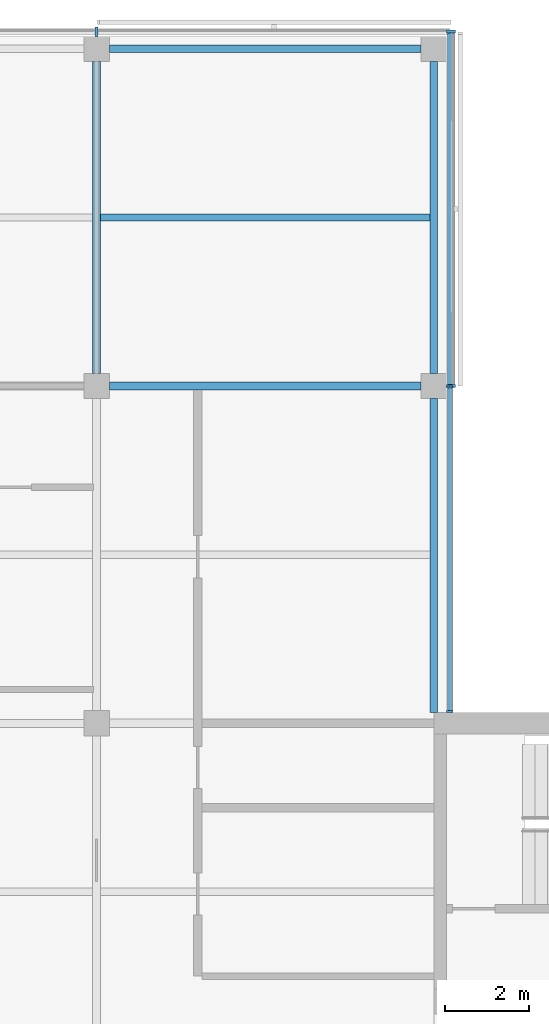
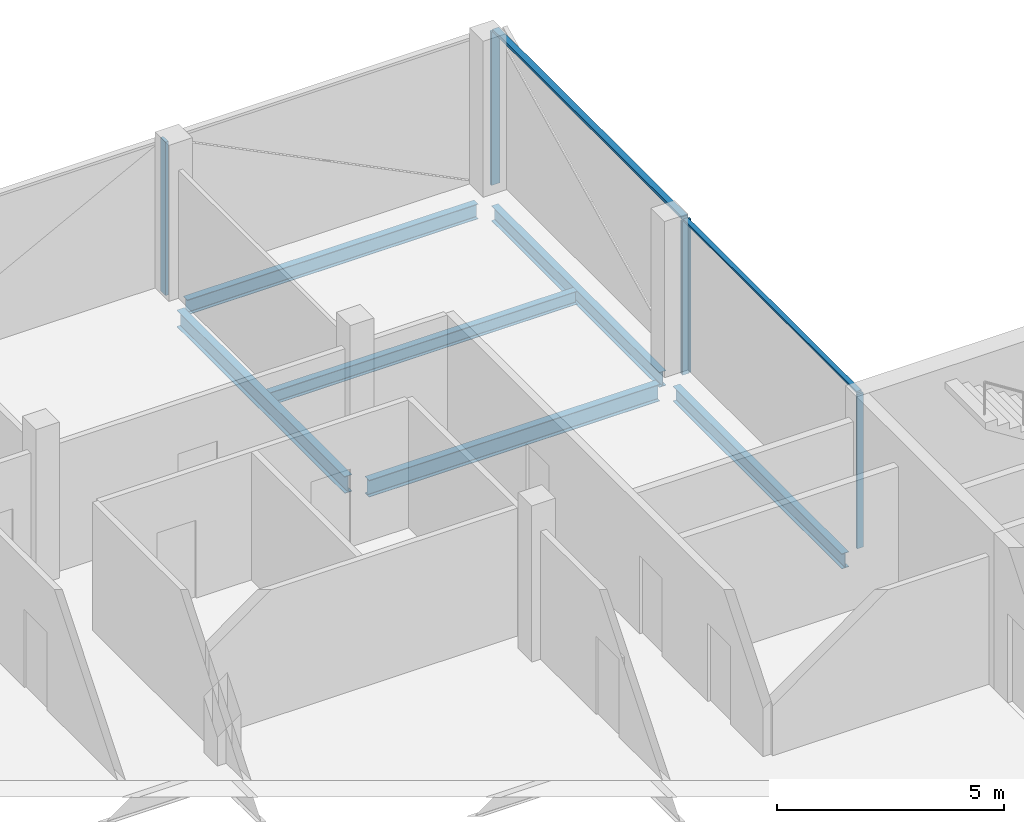
# One storey, part 7 of 16: 7 members, 6 beams, 3 elements without a shape of their own.
"""IFC4 building model written with IfcOpenShell, lengths in metres."""

from ifc_helpers import new_model, si_unit, direction, frame, origin, origin_2d, place, context, subcontext, project, spatial, rectangle, i_section, extrude, material, material_profile, profile_set, type_object, element, aggregate, save


model = new_model("IFC4")

# Units and contexts
model_context = context("Model", 3, precision=1e-05, world=origin(), true_north=direction((0.0, 1.0)))
body_context = subcontext(model_context, "Body", "Model", "MODEL_VIEW")
ifc_project = project(units=[si_unit("LENGTHUNIT", "METRE"), si_unit("AREAUNIT", "SQUARE_METRE"), si_unit("VOLUMEUNIT", "CUBIC_METRE"), si_unit("PLANEANGLEUNIT", "RADIAN"), si_unit("MASSUNIT", "GRAM", prefix="KILO")], contexts=[model_context])

# Site, building, storey
site_placement = place(None, origin())
site = spatial("IfcSite", under=ifc_project, at=site_placement, CompositionType="ELEMENT")
building_placement = place(site_placement, origin())
building = spatial("IfcBuilding", under=site, at=building_placement, Name="Crosswind Convention Tower", CompositionType="ELEMENT")
storey_placement = place(building_placement, frame((0.0, 0.0, 336.5)))
storey = spatial("IfcBuildingStorey", under=building, at=storey_placement, Name="L73", CompositionType="ELEMENT", Elevation=336.5)

# Beams
ifc_material_1 = material(Name="Steel S355", Category="steel")
ifc_material_profile_1 = material_profile(ifc_material_1, i_section(OverallWidth=0.177734375, OverallDepth=0.406494140625, WebThickness=0.0078125, FlangeThickness=0.0126953125, FilletRadius=0.01025390625, at=origin_2d()), Name="UB 406x178x60")
ifc_profile_set_1 = profile_set([ifc_material_profile_1], Name="Steel S355")
beam_type_1 = type_object("IfcBeamType", Name="Edge beam UB 406x178x60", PredefinedType="SPANDREL", material=ifc_profile_set_1)
beam_1_placement = place(storey_placement, frame((129.300048828125, 128.0, -0.503173828125), z_axis=(1.0, 0.0, 0.0), x_axis=(0.0, 1.0, 0.0)))
element("IfcBeam", 1, at=beam_1_placement, inside=storey, type_object=beam_type_1, Name="B15 L73 edge beam 10", PredefinedType="SPANDREL", context=body_context, shape_type="SweptSolid", body=[
    extrude(i_section(OverallWidth=0.177734375, OverallDepth=0.406494140625, WebThickness=0.0078125, FlangeThickness=0.0126953125, FilletRadius=0.01025390625, at=origin_2d()), origin(), (0.0, 0.0, 1.0), 7.39990234375),
])
beam_2_placement = place(storey_placement, frame((137.0, 112.25, -0.503173828125), z_axis=(0.0, 1.0, 0.0), x_axis=(-1.0, 0.0, 0.0)))
element("IfcBeam", 2, at=beam_2_placement, inside=storey, type_object=beam_type_1, Name="B15 L73 edge beam 13", PredefinedType="SPANDREL", context=body_context, shape_type="SweptSolid", body=[
    extrude(i_section(OverallWidth=0.177734375, OverallDepth=0.406494140625, WebThickness=0.0078125, FlangeThickness=0.0126953125, FilletRadius=0.01025390625, at=origin_2d()), origin(), (0.0, 0.0, 1.0), 7.449951171875),
])
beam_3_placement = place(storey_placement, frame((137.0, 120.300048828125, -0.503173828125), z_axis=(0.0, 1.0, 0.0), x_axis=(-1.0, 0.0, 0.0)))
element("IfcBeam", 3, at=beam_3_placement, inside=storey, type_object=beam_type_1, Name="B15 L73 edge beam 14", PredefinedType="SPANDREL", context=body_context, shape_type="SweptSolid", body=[
    extrude(i_section(OverallWidth=0.177734375, OverallDepth=0.406494140625, WebThickness=0.0078125, FlangeThickness=0.0126953125, FilletRadius=0.01025390625, at=origin_2d()), origin(), (0.0, 0.0, 1.0), 7.39990234375),
])
ifc_material_profile_2 = material_profile(ifc_material_1, i_section(OverallWidth=0.18994140625, OverallDepth=0.45361328125, WebThickness=0.008544921875, FlangeThickness=0.0126953125, FilletRadius=0.01025390625, at=origin_2d()), Name="UB 457x191x67")
ifc_profile_set_2 = profile_set([ifc_material_profile_2], Name="Steel S355")
beam_type_2 = type_object("IfcBeamType", Name="Girder UB 457x191x67", PredefinedType="BEAM", material=ifc_profile_set_2)
for number, where, z_axis, x_axis, name in (
    (4, (129.0, 120.300048828125, -0.52685546875), (0.0, 1.0, 0.0), (-1.0, 0.0, 0.0), "B1 L73 girder 22"),
    (5, (129.300048828125, 120.0, -0.52685546875), (1.0, 0.0, 0.0), (0.0, 1.0, 0.0), "B1 L73 girder 24"),
):
    element("IfcBeam", number, at=place(storey_placement, frame(where, z_axis=z_axis, x_axis=x_axis)), inside=storey, type_object=beam_type_2, Name=name, PredefinedType="BEAM", context=body_context, shape_type="SweptSolid", body=[
        extrude(i_section(OverallWidth=0.18994140625, OverallDepth=0.45361328125, WebThickness=0.008544921875, FlangeThickness=0.0126953125, FilletRadius=0.01025390625, at=origin_2d()), origin(), (0.0, 0.0, 1.0), 7.39990234375),
    ])

# Curtain wall, members
ifc_material_2 = material(Name="Aluminium unitised curtain wall", Category="aluminium")
curtain_wall_type_1 = type_object("IfcCurtainWallType", Name="CORE END SLOT WALL 160", PredefinedType="USERDEFINED", material=ifc_material_2)
curtain_wall_1_placement = place(storey_placement, origin())
curtain_wall_1 = element("IfcCurtainWall", 6, at=curtain_wall_1_placement, inside=storey, type_object=curtain_wall_type_1, Name="CW6 L73 N-E.1-1 slot", ObjectType="UNITISED", PredefinedType="USERDEFINED")
ifc_material_3 = material(Name="Aluminium mullion", Category="aluminium")
ifc_material_profile_3 = material_profile(ifc_material_3, rectangle(XDim=0.159912109375, YDim=0.050048828125, at=origin_2d()), Name="AL 160X50")
ifc_profile_set_3 = profile_set([ifc_material_profile_3], Name="Aluminium mullion")
member_type_1 = type_object("IfcMemberType", Name="MULLION 50X160", PredefinedType="MULLION", material=ifc_profile_set_3)
member_1_placement = place(storey_placement, frame((137.3798828125, 112.27490234375, -0.300048828125), z_axis=(0.0, 0.0, 1.0), x_axis=(1.0, 0.0, 0.0)))
member_1 = element("IfcMember", 7, at=member_1_placement, type_object=member_type_1, Name="CW6 mullion 1", PredefinedType="MULLION", context=body_context, shape_type="SweptSolid", body=[
    extrude(rectangle(XDim=0.159912109375, YDim=0.050048828125, at=origin_2d()), origin(), (0.0, 0.0, 1.0), 4.150146484375),
])
member_2_placement = place(storey_placement, frame((137.3798828125, 119.97509765625, -0.300048828125), z_axis=(0.0, 0.0, 1.0), x_axis=(1.0, 0.0, 0.0)))
member_2 = element("IfcMember", 8, at=member_2_placement, type_object=member_type_1, Name="CW6 mullion 2", PredefinedType="MULLION", context=body_context, shape_type="SweptSolid", body=[
    extrude(rectangle(XDim=0.159912109375, YDim=0.050048828125, at=origin_2d()), origin(), (0.0, 0.0, 1.0), 4.150146484375),
])

curtain_wall_type_2 = type_object("IfcCurtainWallType", Name="OFFICE UNITISED WALL 220", PredefinedType="USERDEFINED", material=ifc_material_2)
curtain_wall_2_placement = place(storey_placement, origin())
curtain_wall_2 = element("IfcCurtainWall", 9, at=curtain_wall_2_placement, inside=storey, type_object=curtain_wall_type_2, Name="CW3 L73 N-E 1", ObjectType="UNITISED", PredefinedType="USERDEFINED")
ifc_material_profile_4 = material_profile(ifc_material_3, rectangle(XDim=0.219970703125, YDim=0.070068359375, at=origin_2d()), Name="AL 220X70")
ifc_profile_set_4 = profile_set([ifc_material_profile_4], Name="Aluminium mullion")
member_type_2 = type_object("IfcMemberType", Name="MULLION 70X220", PredefinedType="MULLION", material=ifc_profile_set_4)
member_3_placement = place(storey_placement, frame((137.409912109375, 120.0, -0.300048828125), z_axis=(0.0, 0.0, 1.0), x_axis=(1.0, 0.0, 0.0)))
member_3 = element("IfcMember", 10, at=member_3_placement, type_object=member_type_2, Name="CW3 mullion 1", PredefinedType="MULLION", context=body_context, shape_type="SweptSolid", body=[
    extrude(rectangle(XDim=0.219970703125, YDim=0.070068359375, at=origin_2d()), origin(), (0.0, 0.0, 1.0), 4.130126953125),
])
member_4_placement = place(storey_placement, frame((137.409912109375, 128.409912109375, -0.300048828125), z_axis=(0.0, 0.0, 1.0), x_axis=(1.0, 0.0, 0.0)))
member_4 = element("IfcMember", 11, at=member_4_placement, type_object=member_type_2, Name="CW3 mullion 2", PredefinedType="MULLION", context=body_context, shape_type="SweptSolid", body=[
    extrude(rectangle(XDim=0.219970703125, YDim=0.070068359375, at=origin_2d()), origin(), (0.0, 0.0, 1.0), 4.130126953125),
])

# Curtain wall, member
curtain_wall_3_placement = place(storey_placement, origin())
curtain_wall_3 = element("IfcCurtainWall", 12, at=curtain_wall_3_placement, inside=storey, type_object=curtain_wall_type_2, Name="CW3 L73 N-TIP 1", ObjectType="UNITISED", PredefinedType="USERDEFINED")
member_5_placement = place(storey_placement, frame((129.0, 128.409912109375, -0.300048828125), z_axis=(0.0, 0.0, 1.0), x_axis=(0.0, 1.0, 0.0)))
member_5 = element("IfcMember", 13, at=member_5_placement, type_object=member_type_2, Name="CW3 mullion 2", PredefinedType="MULLION", context=body_context, shape_type="SweptSolid", body=[
    extrude(rectangle(XDim=0.219970703125, YDim=0.070068359375, at=origin_2d()), origin(), (0.0, 0.0, 1.0), 4.130126953125),
])
aggregate(curtain_wall_3, [member_5])

# Beam
ifc_material_profile_5 = material_profile(ifc_material_1, i_section(OverallWidth=0.17138671875, OverallDepth=0.355712890625, WebThickness=0.00732421875, FlangeThickness=0.011474609375, FilletRadius=0.01025390625, at=origin_2d()), Name="UB 356x171x51")
ifc_profile_set_5 = profile_set([ifc_material_profile_5], Name="Steel S355")
beam_type_3 = type_object("IfcBeamType", Name="Secondary beam UB 356x171x51", PredefinedType="JOIST", material=ifc_profile_set_5)
beam_4_placement = place(storey_placement, frame((129.094970703125, 124.0, -0.477783203125), z_axis=(1.0, 0.0, 0.0), x_axis=(0.0, 1.0, 0.0)))
element("IfcBeam", 14, at=beam_4_placement, inside=storey, type_object=beam_type_3, Name="B8 L73 secondary beam 21", PredefinedType="JOIST", context=body_context, shape_type="SweptSolid", body=[
    extrude(i_section(OverallWidth=0.17138671875, OverallDepth=0.355712890625, WebThickness=0.00732421875, FlangeThickness=0.011474609375, FilletRadius=0.01025390625, at=origin_2d()), origin(), (0.0, 0.0, 1.0), 7.816162109375),
])

# Member
ifc_material_4 = material(Name="Aluminium transom", Category="aluminium")
ifc_material_profile_6 = material_profile(ifc_material_4, rectangle(XDim=0.1201171875, YDim=0.050048828125, at=origin_2d()), Name="AL 120X50")
ifc_profile_set_6 = profile_set([ifc_material_profile_6], Name="Aluminium transom")
member_type_3 = type_object("IfcMemberType", Name="TRANSOM 50X120", PredefinedType="USERDEFINED", material=ifc_profile_set_6)
member_6_placement = place(storey_placement, frame((137.3798828125, 112.300048828125, 3.875), z_axis=(0.0, 1.0, 0.0), x_axis=(-1.0, 0.0, 0.0)))
member_6 = element("IfcMember", 15, at=member_6_placement, type_object=member_type_3, Name="CW6 transom", ObjectType="TRANSOM", PredefinedType="USERDEFINED", context=body_context, shape_type="SweptSolid", body=[
    extrude(rectangle(XDim=0.1201171875, YDim=0.050048828125, at=origin_2d()), origin(), (0.0, 0.0, 1.0), 7.64990234375),
])

aggregate(curtain_wall_1, [member_1, member_2, member_6])

ifc_material_profile_7 = material_profile(ifc_material_4, rectangle(XDim=0.159912109375, YDim=0.070068359375, at=origin_2d()), Name="AL 160X70")
ifc_profile_set_7 = profile_set([ifc_material_profile_7], Name="Aluminium transom")
member_type_4 = type_object("IfcMemberType", Name="TRANSOM 70X160", PredefinedType="USERDEFINED", material=ifc_profile_set_7)
member_7_placement = place(storey_placement, frame((137.409912109375, 120.034912109375, 3.864990234375), z_axis=(0.0, 1.0, 0.0), x_axis=(-1.0, 0.0, 0.0)))
member_7 = element("IfcMember", 16, at=member_7_placement, type_object=member_type_4, Name="CW3 transom", ObjectType="TRANSOM", PredefinedType="USERDEFINED", context=body_context, shape_type="SweptSolid", body=[
    extrude(rectangle(XDim=0.159912109375, YDim=0.070068359375, at=origin_2d()), origin(), (0.0, 0.0, 1.0), 8.340087890625),
])

aggregate(curtain_wall_2, [member_3, member_4, member_7])

save(model, "model.ifc")
